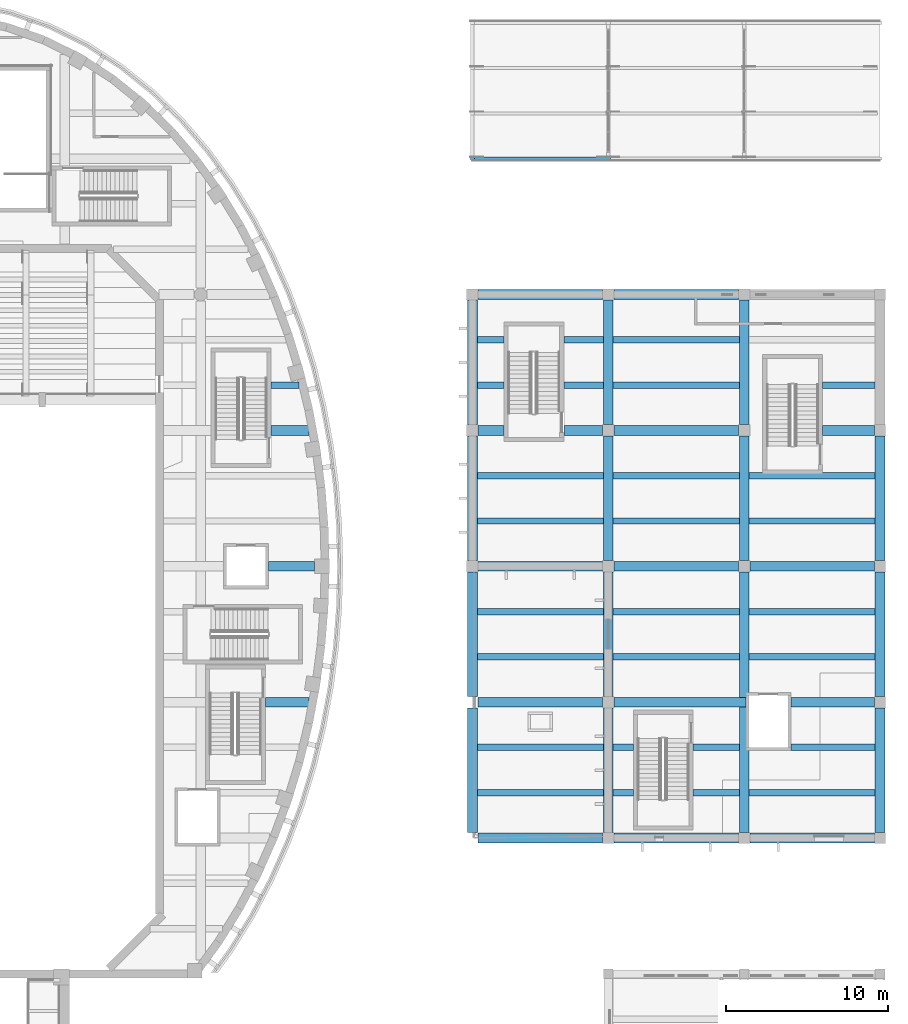
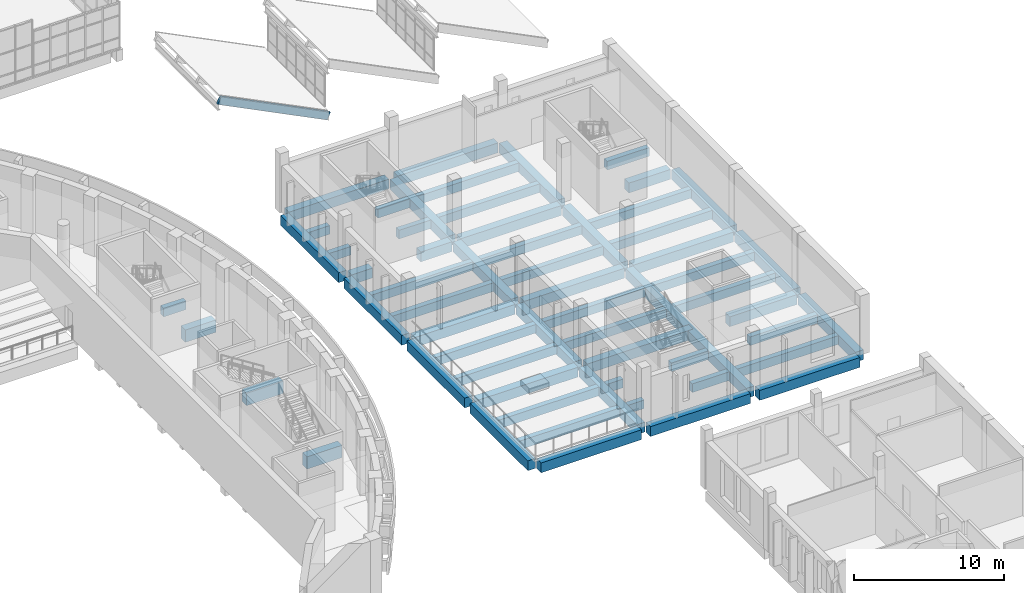
# One storey, part 25 of 103: 61 beams.
"""IFC4 building model written with IfcOpenShell, lengths in metres."""

from ifc_helpers import new_model, si_unit, direction, frame, origin, origin_2d, place, context, subcontext, project, spatial, rectangle, extrude, material, material_profile, profile_set, type_object, element, save


model = new_model("IFC4")

# Units and contexts
model_context = context("Model", 3, precision=1e-05, world=origin(), true_north=direction((0.0, 1.0)))
body_context = subcontext(model_context, "Body", "Model", "MODEL_VIEW")
ifc_project = project(units=[si_unit("LENGTHUNIT", "METRE"), si_unit("AREAUNIT", "SQUARE_METRE"), si_unit("VOLUMEUNIT", "CUBIC_METRE"), si_unit("PLANEANGLEUNIT", "RADIAN"), si_unit("MASSUNIT", "GRAM", prefix="KILO")], contexts=[model_context])

# Site, building, storey
site_placement = place(None, origin())
site = spatial("IfcSite", under=ifc_project, at=site_placement, CompositionType="ELEMENT")
building_placement = place(site_placement, origin())
building = spatial("IfcBuilding", under=site, at=building_placement, Name="Larchfold Concert Hall", CompositionType="ELEMENT")
storey_placement = place(building_placement, frame((0.0, 0.0, 9.60009765625)))
storey = spatial("IfcBuildingStorey", under=building, at=storey_placement, Name="L02", CompositionType="ELEMENT", Elevation=9.60009765625)

# Beams
ifc_material_1 = material(Name="Concrete C35/45", Category="concrete")
ifc_material_profile_1 = material_profile(ifc_material_1, rectangle(XDim=0.39990234375, YDim=0.699951171875, at=origin_2d()))
ifc_profile_set_1 = profile_set([ifc_material_profile_1], Name="Concrete C35/45")
beam_type_1 = type_object("IfcBeamType", Name="Beam RC 400x700", PredefinedType="BEAM", material=ifc_profile_set_1)
beam_1_placement = place(storey_placement, frame((76.5, 70.60009765625, -0.550048828125), z_axis=(1.0, 0.0, 0.0), x_axis=(0.0, 1.0, 0.0)))
element("IfcBeam", 1, at=beam_1_placement, inside=storey, type_object=beam_type_1, Name="Beam B0993", PredefinedType="BEAM", context=body_context, shape_type="SweptSolid", body=[
    extrude(rectangle(XDim=0.39990234375, YDim=0.699951171875, at=origin_2d()), origin(), (0.0, 0.0, 1.0), 7.800048828125),
])
beam_2_placement = place(storey_placement, frame((84.89990234375, 70.60009765625, -0.550048828125), z_axis=(1.0, 0.0, 0.0), x_axis=(0.0, 1.0, 0.0)))
element("IfcBeam", 2, at=beam_2_placement, inside=storey, type_object=beam_type_1, Name="Beam B0994", PredefinedType="BEAM", context=body_context, shape_type="SweptSolid", body=[
    extrude(rectangle(XDim=0.39990234375, YDim=0.699951171875, at=origin_2d()), origin(), (0.0, 0.0, 1.0), 1.25),
])
beam_3_placement = place(storey_placement, frame((89.85009765625, 70.60009765625, -0.550048828125), z_axis=(1.0, 0.0, 0.0), x_axis=(0.0, 1.0, 0.0)))
element("IfcBeam", 3, at=beam_3_placement, inside=storey, type_object=beam_type_1, Name="Beam B0995", PredefinedType="BEAM", context=body_context, shape_type="SweptSolid", body=[
    extrude(rectangle(XDim=0.39990234375, YDim=0.699951171875, at=origin_2d()), origin(), (0.0, 0.0, 1.0), 2.849853515625),
])
for number, where, z_axis, x_axis, name in (
    (4, (93.300048828125, 70.60009765625, -0.550048828125), (1.0, 0.0, 0.0), (0.0, 1.0, 0.0), "Beam B0996"),
    (5, (76.5, 73.39990234375, -0.550048828125), (1.0, 0.0, 0.0), (0.0, 1.0, 0.0), "Beam B0997"),
):
    element("IfcBeam", number, at=place(storey_placement, frame(where, z_axis=z_axis, x_axis=x_axis)), inside=storey, type_object=beam_type_1, Name=name, PredefinedType="BEAM", context=body_context, shape_type="SweptSolid", body=[
        extrude(rectangle(XDim=0.39990234375, YDim=0.699951171875, at=origin_2d()), origin(), (0.0, 0.0, 1.0), 7.800048828125),
    ])
beam_4_placement = place(storey_placement, frame((84.89990234375, 73.39990234375, -0.550048828125), z_axis=(1.0, 0.0, 0.0), x_axis=(0.0, 1.0, 0.0)))
element("IfcBeam", 6, at=beam_4_placement, inside=storey, type_object=beam_type_1, Name="Beam B0998", PredefinedType="BEAM", context=body_context, shape_type="SweptSolid", body=[
    extrude(rectangle(XDim=0.39990234375, YDim=0.699951171875, at=origin_2d()), origin(), (0.0, 0.0, 1.0), 1.25),
])
beam_5_placement = place(storey_placement, frame((89.85009765625, 73.39990234375, -0.550048828125), z_axis=(1.0, 0.0, 0.0), x_axis=(0.0, 1.0, 0.0)))
element("IfcBeam", 7, at=beam_5_placement, inside=storey, type_object=beam_type_1, Name="Beam B0999", PredefinedType="BEAM", context=body_context, shape_type="SweptSolid", body=[
    extrude(rectangle(XDim=0.39990234375, YDim=0.699951171875, at=origin_2d()), origin(), (0.0, 0.0, 1.0), 2.849853515625),
])
beam_6_placement = place(storey_placement, frame((95.89990234375, 73.39990234375, -0.550048828125), z_axis=(1.0, 0.0, 0.0), x_axis=(0.0, 1.0, 0.0)))
element("IfcBeam", 8, at=beam_6_placement, inside=storey, type_object=beam_type_1, Name="Beam B1000", PredefinedType="BEAM", context=body_context, shape_type="SweptSolid", body=[
    extrude(rectangle(XDim=0.39990234375, YDim=0.699951171875, at=origin_2d()), origin(), (0.0, 0.0, 1.0), 5.2001953125),
])
for number, where, z_axis, x_axis, name in (
    (9, (76.5, 79.0, -0.550048828125), (1.0, 0.0, 0.0), (0.0, 1.0, 0.0), "Beam B1001"),
    (10, (84.89990234375, 79.0, -0.550048828125), (1.0, 0.0, 0.0), (0.0, 1.0, 0.0), "Beam B1002"),
    (11, (93.300048828125, 79.0, -0.550048828125), (1.0, 0.0, 0.0), (0.0, 1.0, 0.0), "Beam B1003"),
    (12, (76.5, 81.800048828125, -0.550048828125), (1.0, 0.0, 0.0), (0.0, 1.0, 0.0), "Beam B1004"),
    (13, (84.89990234375, 81.800048828125, -0.550048828125), (1.0, 0.0, 0.0), (0.0, 1.0, 0.0), "Beam B1005"),
    (14, (93.300048828125, 81.800048828125, -0.550048828125), (1.0, 0.0, 0.0), (0.0, 1.0, 0.0), "Beam B1006"),
    (15, (76.5, 87.39990234375, -0.550048828125), (1.0, 0.0, 0.0), (0.0, 1.0, 0.0), "Beam B1007"),
    (16, (84.89990234375, 87.39990234375, -0.550048828125), (1.0, 0.0, 0.0), (0.0, 1.0, 0.0), "Beam B1008"),
    (17, (93.300048828125, 87.39990234375, -0.550048828125), (1.0, 0.0, 0.0), (0.0, 1.0, 0.0), "Beam B1009"),
    (18, (76.5, 90.199951171875, -0.550048828125), (1.0, 0.0, 0.0), (0.0, 1.0, 0.0), "Beam B1010"),
    (19, (84.89990234375, 90.199951171875, -0.550048828125), (1.0, 0.0, 0.0), (0.0, 1.0, 0.0), "Beam B1011"),
    (20, (93.300048828125, 90.199951171875, -0.550048828125), (1.0, 0.0, 0.0), (0.0, 1.0, 0.0), "Beam B1012"),
):
    element("IfcBeam", number, at=place(storey_placement, frame(where, z_axis=z_axis, x_axis=x_axis)), inside=storey, type_object=beam_type_1, Name=name, PredefinedType="BEAM", context=body_context, shape_type="SweptSolid", body=[
        extrude(rectangle(XDim=0.39990234375, YDim=0.699951171875, at=origin_2d()), origin(), (0.0, 0.0, 1.0), 7.800048828125),
    ])
beam_7_placement = place(storey_placement, frame((76.5, 95.800048828125, -0.550048828125), z_axis=(1.0, 0.0, 0.0), x_axis=(0.0, 1.0, 0.0)))
element("IfcBeam", 21, at=beam_7_placement, inside=storey, type_object=beam_type_1, Name="Beam B1013", PredefinedType="BEAM", context=body_context, shape_type="SweptSolid", body=[
    extrude(rectangle(XDim=0.39990234375, YDim=0.699951171875, at=origin_2d()), origin(), (0.0, 0.0, 1.0), 1.64990234375),
])
beam_8_placement = place(storey_placement, frame((81.85009765625, 95.800048828125, -0.550048828125), z_axis=(1.0, 0.0, 0.0), x_axis=(0.0, 1.0, 0.0)))
element("IfcBeam", 22, at=beam_8_placement, inside=storey, type_object=beam_type_1, Name="Beam B1014", PredefinedType="BEAM", context=body_context, shape_type="SweptSolid", body=[
    extrude(rectangle(XDim=0.39990234375, YDim=0.699951171875, at=origin_2d()), origin(), (0.0, 0.0, 1.0), 2.449951171875),
])
beam_9_placement = place(storey_placement, frame((84.89990234375, 95.800048828125, -0.550048828125), z_axis=(1.0, 0.0, 0.0), x_axis=(0.0, 1.0, 0.0)))
element("IfcBeam", 23, at=beam_9_placement, inside=storey, type_object=beam_type_1, Name="Beam B1015", PredefinedType="BEAM", context=body_context, shape_type="SweptSolid", body=[
    extrude(rectangle(XDim=0.39990234375, YDim=0.699951171875, at=origin_2d()), origin(), (0.0, 0.0, 1.0), 7.800048828125),
])
beam_10_placement = place(storey_placement, frame((97.85009765625, 95.800048828125, -0.550048828125), z_axis=(1.0, 0.0, 0.0), x_axis=(0.0, 1.0, 0.0)))
element("IfcBeam", 24, at=beam_10_placement, inside=storey, type_object=beam_type_1, Name="Beam B1016", PredefinedType="BEAM", context=body_context, shape_type="SweptSolid", body=[
    extrude(rectangle(XDim=0.39990234375, YDim=0.699951171875, at=origin_2d()), origin(), (0.0, 0.0, 1.0), 3.25),
])
beam_11_placement = place(storey_placement, frame((76.5, 98.60009765625, -0.550048828125), z_axis=(1.0, 0.0, 0.0), x_axis=(0.0, 1.0, 0.0)))
element("IfcBeam", 25, at=beam_11_placement, inside=storey, type_object=beam_type_1, Name="Beam B1017", PredefinedType="BEAM", context=body_context, shape_type="SweptSolid", body=[
    extrude(rectangle(XDim=0.39990234375, YDim=0.699951171875, at=origin_2d()), origin(), (0.0, 0.0, 1.0), 1.64990234375),
])
beam_12_placement = place(storey_placement, frame((81.85009765625, 98.60009765625, -0.550048828125), z_axis=(1.0, 0.0, 0.0), x_axis=(0.0, 1.0, 0.0)))
element("IfcBeam", 26, at=beam_12_placement, inside=storey, type_object=beam_type_1, Name="Beam B1018", PredefinedType="BEAM", context=body_context, shape_type="SweptSolid", body=[
    extrude(rectangle(XDim=0.39990234375, YDim=0.699951171875, at=origin_2d()), origin(), (0.0, 0.0, 1.0), 2.449951171875),
])
beam_13_placement = place(storey_placement, frame((84.89990234375, 98.60009765625, -0.550048828125), z_axis=(1.0, 0.0, 0.0), x_axis=(0.0, 1.0, 0.0)))
element("IfcBeam", 27, at=beam_13_placement, inside=storey, type_object=beam_type_1, Name="Beam B1019", PredefinedType="BEAM", context=body_context, shape_type="SweptSolid", body=[
    extrude(rectangle(XDim=0.39990234375, YDim=0.699951171875, at=origin_2d()), origin(), (0.0, 0.0, 1.0), 7.800048828125),
])
beam_14_placement = place(storey_placement, frame((63.75, 95.800048828125, -0.550048828125), z_axis=(1.0, 0.0, 0.0), x_axis=(0.0, 1.0, 0.0)))
element("IfcBeam", 28, at=beam_14_placement, inside=storey, type_object=beam_type_1, Name="Beam B1332", PredefinedType="BEAM", context=body_context, shape_type="SweptSolid", body=[
    extrude(rectangle(XDim=0.39990234375, YDim=0.699951171875, at=origin_2d()), origin(), (0.0, 0.0, 1.0), 1.72998046875),
])
ifc_material_2 = material(Name="Concrete C35/45", Category="concrete")
ifc_material_profile_2 = material_profile(ifc_material_2, rectangle(XDim=0.60009765625, YDim=1.0, at=origin_2d()))
ifc_profile_set_2 = profile_set([ifc_material_profile_2], Name="Concrete C35/45")
beam_type_2 = type_object("IfcBeamType", Name="Beam RC 600x1000", PredefinedType="BEAM", material=ifc_profile_set_2)
beam_15_placement = place(storey_placement, frame((63.39990234375, 76.199951171875, -0.7001953125), z_axis=(1.0, 0.0, 0.0), x_axis=(0.0, 1.0, 0.0)))
element("IfcBeam", 29, at=beam_15_placement, inside=storey, type_object=beam_type_2, Name="Beam B1286", PredefinedType="BEAM", context=body_context, shape_type="SweptSolid", body=[
    extrude(rectangle(XDim=0.60009765625, YDim=1.0, at=origin_2d()), origin(), (0.0, 0.0, 1.0), 2.68994140625),
])
beam_16_placement = place(storey_placement, frame((63.60009765625, 84.60009765625, -0.7001953125), z_axis=(1.0, 0.0, 0.0), x_axis=(0.0, 1.0, 0.0)))
element("IfcBeam", 30, at=beam_16_placement, inside=storey, type_object=beam_type_2, Name="Beam B1290", PredefinedType="BEAM", context=body_context, shape_type="SweptSolid", body=[
    extrude(rectangle(XDim=0.60009765625, YDim=1.0, at=origin_2d()), origin(), (0.0, 0.0, 1.0), 2.85009765625),
])
beam_17_placement = place(storey_placement, frame((63.75, 93.0, -0.7001953125), z_axis=(1.0, 0.0, 0.0), x_axis=(0.0, 1.0, 0.0)))
element("IfcBeam", 31, at=beam_17_placement, inside=storey, type_object=beam_type_2, Name="Beam B1294", PredefinedType="BEAM", context=body_context, shape_type="SweptSolid", body=[
    extrude(rectangle(XDim=0.60009765625, YDim=1.0, at=origin_2d()), origin(), (0.0, 0.0, 1.0), 2.33984375),
])
ifc_material_3 = material(Name="Concrete C35/45", Category="concrete")
ifc_material_profile_3 = material_profile(ifc_material_3, rectangle(XDim=0.60009765625, YDim=0.800048828125, at=origin_2d()))
ifc_profile_set_3 = profile_set([ifc_material_profile_3], Name="Concrete C35/45")
beam_type_3 = type_object("IfcBeamType", Name="Beam RC 600x800", PredefinedType="BEAM", material=ifc_profile_set_3)
beam_18_placement = place(storey_placement, frame((76.199951171875, 68.14990234375, -0.60009765625), z_axis=(0.0, 1.0, 0.0), x_axis=(-1.0, 0.0, 0.0)))
element("IfcBeam", 32, at=beam_18_placement, inside=storey, type_object=beam_type_3, Name="Beam B0962", PredefinedType="BEAM", context=body_context, shape_type="SweptSolid", body=[
    extrude(rectangle(XDim=0.60009765625, YDim=0.800048828125, at=origin_2d()), origin(), (0.0, 0.0, 1.0), 7.7001953125),
])
for number, where, z_axis, x_axis, name in (
    (33, (76.199951171875, 76.550048828125, -0.60009765625), (0.0, 1.0, 0.0), (-1.0, 0.0, 0.0), "Beam B0963"),
    (34, (76.199951171875, 84.949951171875, -0.60009765625), (0.0, 1.0, 0.0), (-1.0, 0.0, 0.0), "Beam B0964"),
    (35, (76.199951171875, 93.35009765625, -0.60009765625), (0.0, 1.0, 0.0), (-1.0, 0.0, 0.0), "Beam B0965"),
):
    element("IfcBeam", number, at=place(storey_placement, frame(where, z_axis=z_axis, x_axis=x_axis)), inside=storey, type_object=beam_type_3, Name=name, PredefinedType="BEAM", context=body_context, shape_type="SweptSolid", body=[
        extrude(rectangle(XDim=0.60009765625, YDim=0.800048828125, at=origin_2d()), origin(), (0.0, 0.0, 1.0), 7.699951171875),
    ])
beam_19_placement = place(storey_placement, frame((84.60009765625, 68.14990234375, -0.60009765625), z_axis=(0.0, 1.0, 0.0), x_axis=(-1.0, 0.0, 0.0)))
element("IfcBeam", 36, at=beam_19_placement, inside=storey, type_object=beam_type_3, Name="Beam B0966", PredefinedType="BEAM", context=body_context, shape_type="SweptSolid", body=[
    extrude(rectangle(XDim=0.60009765625, YDim=0.800048828125, at=origin_2d()), origin(), (0.0, 0.0, 1.0), 7.7001953125),
])
for number, where, z_axis, x_axis, name in (
    (37, (84.60009765625, 76.550048828125, -0.60009765625), (0.0, 1.0, 0.0), (-1.0, 0.0, 0.0), "Beam B0967"),
    (38, (84.60009765625, 84.949951171875, -0.60009765625), (0.0, 1.0, 0.0), (-1.0, 0.0, 0.0), "Beam B0968"),
    (39, (84.60009765625, 93.35009765625, -0.60009765625), (0.0, 1.0, 0.0), (-1.0, 0.0, 0.0), "Beam B0969"),
):
    element("IfcBeam", number, at=place(storey_placement, frame(where, z_axis=z_axis, x_axis=x_axis)), inside=storey, type_object=beam_type_3, Name=name, PredefinedType="BEAM", context=body_context, shape_type="SweptSolid", body=[
        extrude(rectangle(XDim=0.60009765625, YDim=0.800048828125, at=origin_2d()), origin(), (0.0, 0.0, 1.0), 7.699951171875),
    ])
beam_20_placement = place(storey_placement, frame((93.0, 68.14990234375, -0.60009765625), z_axis=(0.0, 1.0, 0.0), x_axis=(-1.0, 0.0, 0.0)))
element("IfcBeam", 40, at=beam_20_placement, inside=storey, type_object=beam_type_3, Name="Beam B0970", PredefinedType="BEAM", context=body_context, shape_type="SweptSolid", body=[
    extrude(rectangle(XDim=0.60009765625, YDim=0.800048828125, at=origin_2d()), origin(), (0.0, 0.0, 1.0), 16.10009765625),
])
for number, where, z_axis, x_axis, name in (
    (41, (93.0, 84.949951171875, -0.60009765625), (0.0, 1.0, 0.0), (-1.0, 0.0, 0.0), "Beam B0971"),
    (42, (93.0, 93.35009765625, -0.60009765625), (0.0, 1.0, 0.0), (-1.0, 0.0, 0.0), "Beam B0972"),
):
    element("IfcBeam", number, at=place(storey_placement, frame(where, z_axis=z_axis, x_axis=x_axis)), inside=storey, type_object=beam_type_3, Name=name, PredefinedType="BEAM", context=body_context, shape_type="SweptSolid", body=[
        extrude(rectangle(XDim=0.60009765625, YDim=0.800048828125, at=origin_2d()), origin(), (0.0, 0.0, 1.0), 7.699951171875),
    ])
beam_21_placement = place(storey_placement, frame((101.39990234375, 68.14990234375, -0.60009765625), z_axis=(0.0, 1.0, 0.0), x_axis=(-1.0, 0.0, 0.0)))
element("IfcBeam", 43, at=beam_21_placement, inside=storey, type_object=beam_type_3, Name="Beam B0973", PredefinedType="BEAM", context=body_context, shape_type="SweptSolid", body=[
    extrude(rectangle(XDim=0.60009765625, YDim=0.800048828125, at=origin_2d()), origin(), (0.0, 0.0, 1.0), 7.7001953125),
])
for number, where, z_axis, x_axis, name in (
    (44, (101.39990234375, 76.550048828125, -0.60009765625), (0.0, 1.0, 0.0), (-1.0, 0.0, 0.0), "Beam B0974"),
    (45, (101.39990234375, 84.949951171875, -0.60009765625), (0.0, 1.0, 0.0), (-1.0, 0.0, 0.0), "Beam B0975"),
    (46, (76.550048828125, 67.800048828125, -0.60009765625), (1.0, 0.0, 0.0), (0.0, 1.0, 0.0), "Beam B0977"),
    (47, (84.949951171875, 67.800048828125, -0.60009765625), (1.0, 0.0, 0.0), (0.0, 1.0, 0.0), "Beam B0978"),
    (48, (93.35009765625, 67.800048828125, -0.60009765625), (1.0, 0.0, 0.0), (0.0, 1.0, 0.0), "Beam B0979"),
    (49, (76.550048828125, 76.199951171875, -0.60009765625), (1.0, 0.0, 0.0), (0.0, 1.0, 0.0), "Beam B0980"),
):
    element("IfcBeam", number, at=place(storey_placement, frame(where, z_axis=z_axis, x_axis=x_axis)), inside=storey, type_object=beam_type_3, Name=name, PredefinedType="BEAM", context=body_context, shape_type="SweptSolid", body=[
        extrude(rectangle(XDim=0.60009765625, YDim=0.800048828125, at=origin_2d()), origin(), (0.0, 0.0, 1.0), 7.699951171875),
    ])
beam_22_placement = place(storey_placement, frame((84.949951171875, 76.199951171875, -0.60009765625), z_axis=(1.0, 0.0, 0.0), x_axis=(0.0, 1.0, 0.0)))
element("IfcBeam", 50, at=beam_22_placement, inside=storey, type_object=beam_type_3, Name="Beam B0981", PredefinedType="BEAM", context=body_context, shape_type="SweptSolid", body=[
    extrude(rectangle(XDim=0.60009765625, YDim=0.800048828125, at=origin_2d()), origin(), (0.0, 0.0, 1.0), 8.150146484375),
])
beam_23_placement = place(storey_placement, frame((95.89990234375, 76.199951171875, -0.60009765625), z_axis=(1.0, 0.0, 0.0), x_axis=(0.0, 1.0, 0.0)))
element("IfcBeam", 51, at=beam_23_placement, inside=storey, type_object=beam_type_3, Name="Beam B0982", PredefinedType="BEAM", context=body_context, shape_type="SweptSolid", body=[
    extrude(rectangle(XDim=0.60009765625, YDim=0.800048828125, at=origin_2d()), origin(), (0.0, 0.0, 1.0), 5.150146484375),
])
for number, where, z_axis, x_axis, name in (
    (52, (76.550048828125, 84.60009765625, -0.60009765625), (1.0, 0.0, 0.0), (0.0, 1.0, 0.0), "Beam B0983"),
    (53, (84.949951171875, 84.60009765625, -0.60009765625), (1.0, 0.0, 0.0), (0.0, 1.0, 0.0), "Beam B0984"),
    (54, (93.35009765625, 84.60009765625, -0.60009765625), (1.0, 0.0, 0.0), (0.0, 1.0, 0.0), "Beam B0985"),
):
    element("IfcBeam", number, at=place(storey_placement, frame(where, z_axis=z_axis, x_axis=x_axis)), inside=storey, type_object=beam_type_3, Name=name, PredefinedType="BEAM", context=body_context, shape_type="SweptSolid", body=[
        extrude(rectangle(XDim=0.60009765625, YDim=0.800048828125, at=origin_2d()), origin(), (0.0, 0.0, 1.0), 7.699951171875),
    ])
beam_24_placement = place(storey_placement, frame((76.550048828125, 93.0, -0.60009765625), z_axis=(1.0, 0.0, 0.0), x_axis=(0.0, 1.0, 0.0)))
element("IfcBeam", 55, at=beam_24_placement, inside=storey, type_object=beam_type_3, Name="Beam B0986", PredefinedType="BEAM", context=body_context, shape_type="SweptSolid", body=[
    extrude(rectangle(XDim=0.60009765625, YDim=0.800048828125, at=origin_2d()), origin(), (0.0, 0.0, 1.0), 1.599853515625),
])
beam_25_placement = place(storey_placement, frame((81.85009765625, 93.0, -0.60009765625), z_axis=(1.0, 0.0, 0.0), x_axis=(0.0, 1.0, 0.0)))
element("IfcBeam", 56, at=beam_25_placement, inside=storey, type_object=beam_type_3, Name="Beam B0987", PredefinedType="BEAM", context=body_context, shape_type="SweptSolid", body=[
    extrude(rectangle(XDim=0.60009765625, YDim=0.800048828125, at=origin_2d()), origin(), (0.0, 0.0, 1.0), 2.39990234375),
])
beam_26_placement = place(storey_placement, frame((84.949951171875, 93.0, -0.60009765625), z_axis=(1.0, 0.0, 0.0), x_axis=(0.0, 1.0, 0.0)))
element("IfcBeam", 57, at=beam_26_placement, inside=storey, type_object=beam_type_3, Name="Beam B0988", PredefinedType="BEAM", context=body_context, shape_type="SweptSolid", body=[
    extrude(rectangle(XDim=0.60009765625, YDim=0.800048828125, at=origin_2d()), origin(), (0.0, 0.0, 1.0), 7.699951171875),
])
beam_27_placement = place(storey_placement, frame((97.85009765625, 93.0, -0.60009765625), z_axis=(1.0, 0.0, 0.0), x_axis=(0.0, 1.0, 0.0)))
element("IfcBeam", 58, at=beam_27_placement, inside=storey, type_object=beam_type_3, Name="Beam B0989", PredefinedType="BEAM", context=body_context, shape_type="SweptSolid", body=[
    extrude(rectangle(XDim=0.60009765625, YDim=0.800048828125, at=origin_2d()), origin(), (0.0, 0.0, 1.0), 3.199951171875),
])
for number, where, z_axis, x_axis, name in (
    (59, (76.550048828125, 101.39990234375, -0.60009765625), (1.0, 0.0, 0.0), (0.0, 1.0, 0.0), "Beam B0990"),
    (60, (84.949951171875, 101.39990234375, -0.60009765625), (1.0, 0.0, 0.0), (0.0, 1.0, 0.0), "Beam B0991"),
):
    element("IfcBeam", number, at=place(storey_placement, frame(where, z_axis=z_axis, x_axis=x_axis)), inside=storey, type_object=beam_type_3, Name=name, PredefinedType="BEAM", context=body_context, shape_type="SweptSolid", body=[
        extrude(rectangle(XDim=0.60009765625, YDim=0.800048828125, at=origin_2d()), origin(), (0.0, 0.0, 1.0), 7.699951171875),
    ])
ifc_material_4 = material(Name="Glulam GL30c", Category="wood")
ifc_material_profile_4 = material_profile(ifc_material_4, rectangle(XDim=0.18994140625, YDim=0.5849609375, at=origin_2d()))
ifc_profile_set_4 = profile_set([ifc_material_profile_4], Name="Glulam GL30c")
beam_type_4 = type_object("IfcBeamType", Name="Glulam beam GL30c 190x585", PredefinedType="BEAM", material=ifc_profile_set_4)
beam_28_placement = place(storey_placement, frame((76.199951171875, 109.800048828125, 3.77294921875), z_axis=(0.89443239007, 0.0, -0.447203197209), x_axis=(0.0, 1.0, 0.0)))
element("IfcBeam", 61, at=beam_28_placement, inside=storey, type_object=beam_type_4, Name="Beam GL2097", PredefinedType="BEAM", context=body_context, shape_type="SweptSolid", body=[
    extrude(rectangle(XDim=0.18994140625, YDim=0.5849609375, at=origin_2d()), origin(), (0.0, 0.0, 1.0), 9.3916015625),
])

save(model, "model.ifc")
